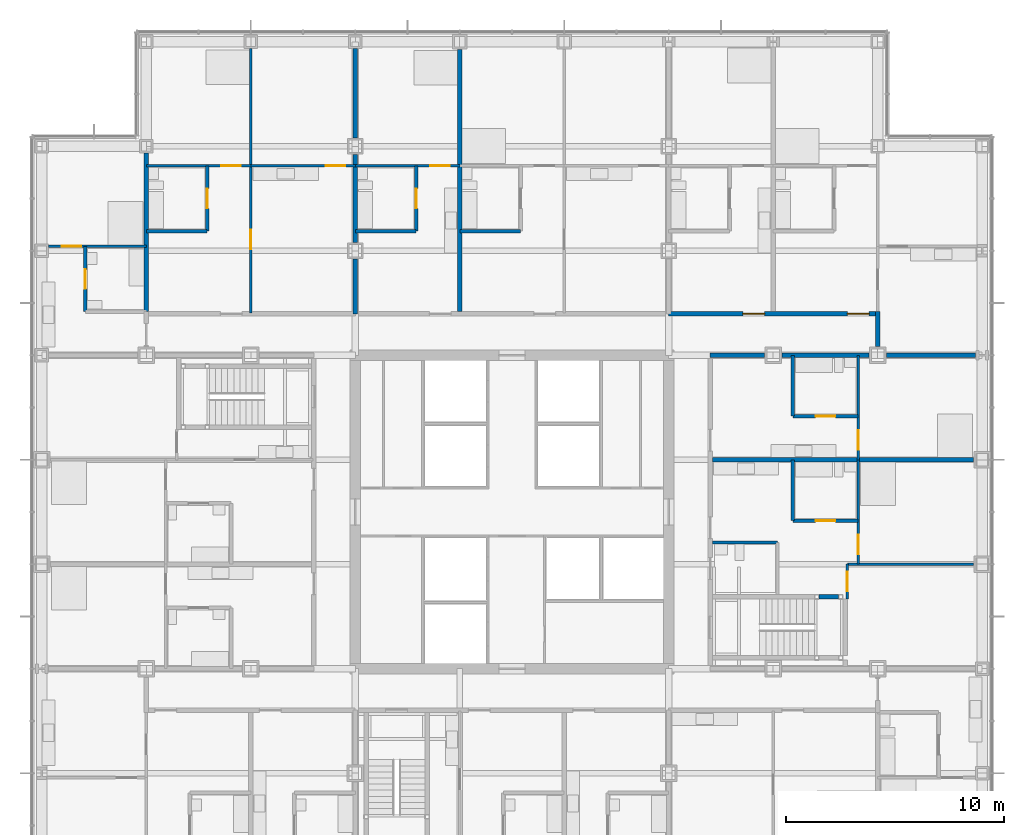
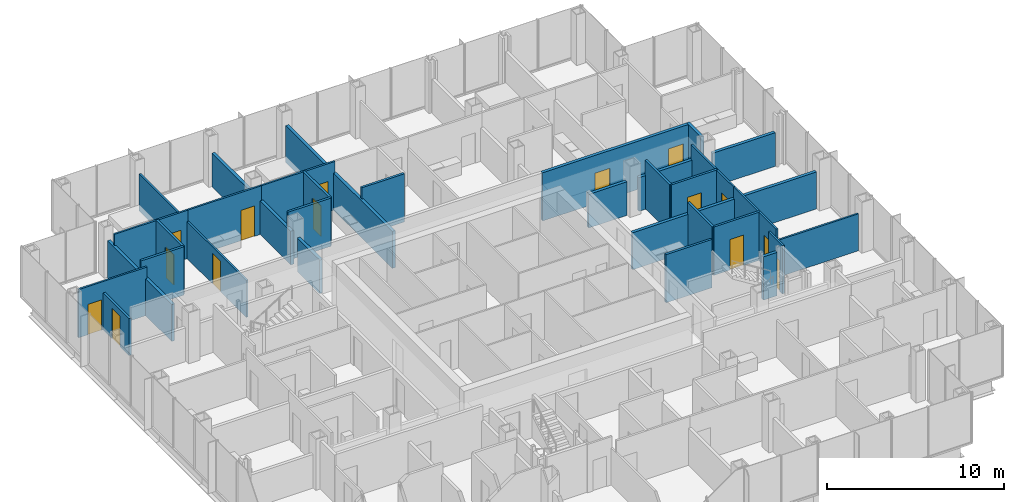
# One storey, part 17 of 21: 33 walls, 15 doors, 15 openings.
"""IFC4 building model written with IfcOpenShell, lengths in metres."""

import ifcopenshell
import ifcopenshell.guid

model = None  # the IFC model being written
_history = None  # IfcOwnerHistory: only IFC2X3 demands one
_inside = {}  # id of a spatial element -> (the spatial element, [elements in it])
_under = {}  # id of a project, library or spatial element -> (it, [spatial elements below it])
_declared = {}  # id of a project -> (the project, [libraries it declares])
_typed = {}  # id of a type object -> (the type object, [elements of that type])
_made_of = {}  # id of a material, layer set ... -> (it, [elements and type objects made of it])


def new_model(schema):
    """Start an empty IFC model of exactly this schema.

    Asked for "IFC4X3", IfcOpenShell would pick the latest addendum, in which some entities
    have other attributes; the version numbers below select the first issue.
    IFC2X3 requires an IfcOwnerHistory on every rooted entity: one is made here for all.
    """
    global model, _history
    if schema == "IFC4X3":
        model = ifcopenshell.file(schema_version=(4, 3, 0, 0))
    else:
        model = ifcopenshell.file(schema=schema)
    _inside.clear()
    _under.clear()
    _declared.clear()
    _typed.clear()
    _made_of.clear()
    _history = None
    if model.schema == "IFC2X3":
        org = make("IfcOrganization", Name="unknown")
        user = make(
            "IfcPersonAndOrganization",
            ThePerson=make("IfcPerson", FamilyName="unknown"),
            TheOrganization=org,
        )
        app = make(
            "IfcApplication",
            ApplicationDeveloper=org,
            Version="unknown",
            ApplicationFullName="unknown",
            ApplicationIdentifier="unknown",
        )
        _history = make(
            "IfcOwnerHistory",
            OwningUser=user,
            OwningApplication=app,
            ChangeAction="ADDED",
            CreationDate=0,
        )
    return model


def make(cls, **values):
    """One entity of the class cls with the attributes given. An attribute that is None is left unset."""
    return model.create_entity(
        cls, **{name: value for name, value in values.items() if value is not None}
    )


def rooted(cls, **values):
    """An entity with a GlobalId (a new one), such as an element, a storey or a relation."""
    return make(cls, GlobalId=ifcopenshell.guid.new(), OwnerHistory=_history, **values)


def si_unit(unit_type, name, prefix=None):
    """IfcSIUnit, for example si_unit("LENGTHUNIT", "METRE", prefix="MILLI")."""
    return make("IfcSIUnit", UnitType=unit_type, Prefix=prefix, Name=name)


def assignment(units):
    """IfcUnitAssignment: the units of a project."""
    return None if units is None else make("IfcUnitAssignment", Units=units)


def point(xyz):
    """IfcCartesianPoint."""
    return None if xyz is None else make("IfcCartesianPoint", Coordinates=xyz)


def direction(xyz):
    """IfcDirection."""
    return None if xyz is None else make("IfcDirection", DirectionRatios=xyz)


def frame(location, z_axis=None, x_axis=None):
    """IfcAxis2Placement3D, a coordinate frame: its origin and axes. An axis left out is left unset."""
    return make(
        "IfcAxis2Placement3D",
        Location=point(location),
        Axis=direction(z_axis),
        RefDirection=direction(x_axis),
    )


def frame_2d(location, x_axis=None):
    """IfcAxis2Placement2D, a coordinate frame in the plane: its origin and x axis."""
    return make(
        "IfcAxis2Placement2D", Location=point(location), RefDirection=direction(x_axis)
    )


def origin():
    """The frame at (0, 0, 0) with its axes left unset."""
    return frame((0.0, 0.0, 0.0))


def place(relative_to, where):
    """IfcLocalPlacement: puts the frame where relative to a parent placement (None: the world)."""
    return make(
        "IfcLocalPlacement", PlacementRelTo=relative_to, RelativePlacement=where
    )


def context(
    kind, dimensions, precision=None, world=None, true_north=None, identifier=None
):
    """IfcGeometricRepresentationContext, for example the 3D "Model" context."""
    return make(
        "IfcGeometricRepresentationContext",
        ContextIdentifier=identifier,
        ContextType=kind,
        CoordinateSpaceDimension=dimensions,
        Precision=precision,
        WorldCoordinateSystem=world,
        TrueNorth=true_north,
    )


def subcontext(parent, identifier, kind, view, scale=None):
    """IfcGeometricRepresentationSubContext, for example "Body" below "Model"."""
    return make(
        "IfcGeometricRepresentationSubContext",
        ContextIdentifier=identifier,
        ContextType=kind,
        ParentContext=parent,
        TargetScale=scale,
        TargetView=view,
    )


def project(units=None, contexts=None):
    """IfcProject with its units and contexts."""
    return rooted(
        "IfcProject",
        Name="project",
        RepresentationContexts=contexts,
        UnitsInContext=assignment(units),
    )


def spatial(cls, under=None, at=None, **own):
    """A site, building, storey or space (cls), placed at a placement, below another one or the project."""
    s = rooted(cls, ObjectPlacement=at, **own)
    if under is not None:
        _under.setdefault(under.id(), (under, []))[1].append(s)
    return s


def profile(cls, at=None, kind="AREA", **sizes):
    """A parametric profile (cls). Its sizes go by their IFC names, for example OverallWidth=200.0."""
    return make(cls, ProfileType=kind, Position=at, **sizes)


def rectangle(**sizes):
    """IfcRectangleProfileDef."""
    return profile("IfcRectangleProfileDef", **sizes)


def extrude(swept, where, along, depth):
    """IfcExtrudedAreaSolid: the profile swept, set in the frame where, extruded along a direction by depth."""
    return make(
        "IfcExtrudedAreaSolid",
        SweptArea=swept,
        Position=where,
        ExtrudedDirection=direction(along),
        Depth=depth,
    )


def shape(context_of_items, identifier, shape_type, items):
    """IfcShapeRepresentation: the items that make up one representation, for example the "Body"."""
    return make(
        "IfcShapeRepresentation",
        ContextOfItems=context_of_items,
        RepresentationIdentifier=identifier,
        RepresentationType=shape_type,
        Items=items,
    )


def material(Name=None, Category=None):
    """IfcMaterial."""
    return make("IfcMaterial", Name=Name, Category=Category)


def layer(
    of_material, thickness, ventilated=None, Name=None, Category=None, Priority=None
):
    """IfcMaterialLayer: one layer of a wall or slab, of a material (None: an air gap)."""
    return make(
        "IfcMaterialLayer",
        Material=of_material,
        LayerThickness=thickness,
        IsVentilated=ventilated,
        Name=Name,
        Category=Category,
        Priority=Priority,
    )


def layer_set(layers, Name=None):
    """IfcMaterialLayerSet."""
    return make("IfcMaterialLayerSet", MaterialLayers=layers, LayerSetName=Name)


def made_of(thing, what):
    """Note that an element or type object is made of a material, layer set ...; save() writes the relation."""
    if what is not None:
        _made_of.setdefault(what.id(), (what, []))[1].append(thing)
    return thing


def type_object(cls, material=None, **own):
    """A type object (cls), such as IfcWallType, which elements share."""
    return made_of(rooted(cls, **own), material)


def element(
    cls,
    number,
    at=None,
    inside=None,
    cuts=None,
    type_object=None,
    material=None,
    context=None,
    identifier="Body",
    shape_type=None,
    held_by="IfcProductDefinitionShape",
    body=None,
    shapes=None,
    **own,
):
    """One element of the class cls, such as IfcWall. Its Tag is "e" and its number.

    at: its placement. inside: the storey or other place that contains it. cuts: it is an
    opening in that element (IfcRelVoidsElement). A single representation is given by context,
    identifier, shape_type and body (its items); several are given by shapes. held_by: the class
    of the entity that holds the representations. save() writes the other relations.
    """
    e = rooted(cls, Tag="e%d" % number, ObjectPlacement=at, **own)
    if body is not None:
        shapes = [shape(context, identifier, shape_type, body)]
    if shapes is not None:
        e.Representation = make(held_by, Representations=shapes)
    if inside is not None:
        _inside.setdefault(inside.id(), (inside, []))[1].append(e)
    if cuts is not None:
        rooted(
            "IfcRelVoidsElement", RelatingBuildingElement=cuts, RelatedOpeningElement=e
        )
    if type_object is not None:
        _typed.setdefault(type_object.id(), (type_object, []))[1].append(e)
    return made_of(e, material)


def fill(opening, filler):
    """IfcRelFillsElement: the door or window that sits in an opening."""
    return rooted(
        "IfcRelFillsElement",
        RelatingOpeningElement=opening,
        RelatedBuildingElement=filler,
    )


def aggregate(whole, parts):
    """IfcRelAggregates: a whole, such as a stair, and the parts it consists of."""
    return rooted("IfcRelAggregates", RelatingObject=whole, RelatedObjects=parts)


def save(model, path):
    """Write the relations noted so far, then the file.

    IfcRelAggregates (storeys below a building ...), IfcRelContainedInSpatialStructure (elements
    in a storey), IfcRelDefinesByType, IfcRelAssociatesMaterial and IfcRelDeclares: one each for
    every whole, place, type object, material and project.
    """
    for whole, parts in _under.values():
        aggregate(whole, parts)
    for where, things in _inside.values():
        rooted(
            "IfcRelContainedInSpatialStructure",
            RelatedElements=things,
            RelatingStructure=where,
        )
    for kind, things in _typed.values():
        rooted("IfcRelDefinesByType", RelatedObjects=things, RelatingType=kind)
    for what, things in _made_of.values():
        rooted("IfcRelAssociatesMaterial", RelatedObjects=things, RelatingMaterial=what)
    for by, libraries in _declared.values():
        rooted("IfcRelDeclares", RelatingContext=by, RelatedDefinitions=libraries)
    model.write(path)


model = new_model("IFC4")

# Units and contexts
model_context = context("Model", 3, precision=1e-05, world=origin(), true_north=direction((0.0, 1.0)))
body_context = subcontext(model_context, "Body", "Model", "MODEL_VIEW")
ifc_project = project(units=[si_unit("LENGTHUNIT", "METRE"), si_unit("AREAUNIT", "SQUARE_METRE"), si_unit("VOLUMEUNIT", "CUBIC_METRE"), si_unit("PLANEANGLEUNIT", "RADIAN"), si_unit("MASSUNIT", "GRAM", prefix="KILO")], contexts=[model_context])

# Site, building, storey
site_placement = place(None, origin())
site = spatial("IfcSite", under=ifc_project, at=site_placement, CompositionType="ELEMENT")
building_placement = place(site_placement, origin())
building = spatial("IfcBuilding", under=site, at=building_placement, Name="Kvirike Care Tower", CompositionType="ELEMENT")
storey_placement = place(building_placement, frame((0.0, 0.0, 34.0)))
storey = spatial("IfcBuildingStorey", under=building, at=storey_placement, Name="L08", CompositionType="ELEMENT", Elevation=34.0)

# Wall, opening, door
ifc_material_1 = material(Name="Moisture-resistant board partition", Category="gypsum")
ifc_layer_1 = layer(ifc_material_1, 0.14990234375)
ifc_layer_set_1 = layer_set([ifc_layer_1], Name="BATHROOM WALL 150")
wall_type_1 = type_object("IfcWallType", Name="BATHROOM WALL 150", PredefinedType="PARTITIONING", material=ifc_layer_set_1)
wall_1_placement = place(storey_placement, frame((7.60009765625, 51.89990234375, 0.0), z_axis=(0.0, 0.0, 1.0), x_axis=(0.0, -1.0, 0.0)))
wall_1 = element("IfcWall", 1, at=wall_1_placement, inside=storey, type_object=wall_type_1, Name="Bathroom Wall 150 L08", PredefinedType="PARTITIONING", context=body_context, shape_type="SweptSolid", body=[
    extrude(rectangle(XDim=3.0, YDim=0.14990234375, at=frame_2d((1.5, 0.0))), origin(), (0.0, 0.0, 1.0), 3.330078125),
])
opening_1_placement = place(wall_1_placement, frame((1.050048828125, 0.0, 0.0)))
opening_1 = element("IfcOpeningElement", 2, at=opening_1_placement, cuts=wall_1, Name="Opening 08-018", PredefinedType="OPENING", context=body_context, shape_type="SweptSolid", body=[
    extrude(rectangle(XDim=0.89990234375, YDim=2.10009765625, at=frame_2d((0.449951171875, 1.050048828125))), frame((0.0, 0.08544921875, 0.0), z_axis=(0.0, -1.0, 0.0), x_axis=(1.0, 0.0, 0.0)), (0.0, 0.0, 1.0), 0.1708984375),
])
ifc_material_2 = material(Name="Timber door set", Category="wood")
door_type_1 = type_object("IfcDoorType", Name="BATHROOM DOOR 900", OperationType="SINGLE_SWING_RIGHT", PredefinedType="DOOR", material=ifc_material_2)
door_1_placement = place(opening_1_placement, frame((0.89990234375, 0.0, 0.0), z_axis=(0.0, 0.0, 1.0), x_axis=(-1.0, 0.0, 0.0)))
door_1 = element("IfcDoor", 3, at=door_1_placement, inside=storey, type_object=door_type_1, Name="Bathroom door", OperationType="SINGLE_SWING_RIGHT", OverallHeight=2.10009765625, OverallWidth=0.89990234375, PredefinedType="DOOR", context=body_context, shape_type="SweptSolid", body=[
    extrude(rectangle(XDim=0.89990234375, YDim=2.10009765625, at=frame_2d((0.449951171875, 1.050048828125))), frame((0.0, 0.02197265625, 0.0), z_axis=(0.0, -1.0, 0.0), x_axis=(1.0, 0.0, 0.0)), (0.0, 0.0, 1.0), 0.0439453125),
])
fill(opening_1, door_1)

# Wall
wall_2_placement = place(storey_placement, frame((7.60009765625, 48.89990234375, 0.0), z_axis=(0.0, 0.0, 1.0), x_axis=(-1.0, 0.0, 0.0)))
element("IfcWall", 4, at=wall_2_placement, inside=storey, type_object=wall_type_1, Name="Bathroom Wall 150 L08", PredefinedType="PARTITIONING", context=body_context, shape_type="SweptSolid", body=[
    extrude(rectangle(XDim=2.800048828125, YDim=0.14990234375, at=frame_2d((1.39990234375, 0.0))), origin(), (0.0, 0.0, 1.0), 3.330078125),
])

# Wall, opening, door
wall_3_placement = place(storey_placement, frame((2.0, 48.199951171875, 0.0), z_axis=(0.0, 0.0, 1.0), x_axis=(0.0, -1.0, 0.0)))
wall_3 = element("IfcWall", 5, at=wall_3_placement, inside=storey, type_object=wall_type_1, Name="Bathroom Wall 150 L08", PredefinedType="PARTITIONING", context=body_context, shape_type="SweptSolid", body=[
    extrude(rectangle(XDim=3.0, YDim=0.14990234375, at=frame_2d((1.5, 0.0))), origin(), (0.0, 0.0, 1.0), 2.550048828125),
])
opening_2_placement = place(wall_3_placement, frame((1.050048828125, 0.0, 0.0)))
opening_2 = element("IfcOpeningElement", 6, at=opening_2_placement, cuts=wall_3, Name="Opening 08-022", PredefinedType="OPENING", context=body_context, shape_type="SweptSolid", body=[
    extrude(rectangle(XDim=0.89990234375, YDim=2.10009765625, at=frame_2d((0.449951171875, 1.050048828125))), frame((0.0, 0.08544921875, 0.0), z_axis=(0.0, -1.0, 0.0), x_axis=(1.0, 0.0, 0.0)), (0.0, 0.0, 1.0), 0.1708984375),
])
door_2_placement = place(opening_2_placement, origin())
door_2 = element("IfcDoor", 7, at=door_2_placement, inside=storey, type_object=door_type_1, Name="Bathroom door", OperationType="SINGLE_SWING_LEFT", OverallHeight=2.10009765625, OverallWidth=0.89990234375, PredefinedType="DOOR", context=body_context, shape_type="SweptSolid", body=[
    extrude(rectangle(XDim=0.89990234375, YDim=2.10009765625, at=frame_2d((0.449951171875, 1.050048828125))), frame((0.0, 0.02197265625, 0.0), z_axis=(0.0, -1.0, 0.0), x_axis=(1.0, 0.0, 0.0)), (0.0, 0.0, 1.0), 0.0439453125),
])
fill(opening_2, door_2)

# Wall
wall_4_placement = place(storey_placement, frame((22.0, 48.89990234375, 0.0), z_axis=(0.0, 0.0, 1.0), x_axis=(-1.0, 0.0, 0.0)))
element("IfcWall", 8, at=wall_4_placement, inside=storey, type_object=wall_type_1, Name="Bathroom Wall 150 L08", PredefinedType="PARTITIONING", context=body_context, shape_type="SweptSolid", body=[
    extrude(rectangle(XDim=2.800048828125, YDim=0.14990234375, at=frame_2d((1.39990234375, 0.0))), origin(), (0.0, 0.0, 1.0), 3.330078125),
])

# Wall, opening, door
wall_5_placement = place(storey_placement, frame((17.199951171875, 51.89990234375, 0.0), z_axis=(0.0, 0.0, 1.0), x_axis=(0.0, -1.0, 0.0)))
wall_5 = element("IfcWall", 9, at=wall_5_placement, inside=storey, type_object=wall_type_1, Name="Bathroom Wall 150 L08", PredefinedType="PARTITIONING", context=body_context, shape_type="SweptSolid", body=[
    extrude(rectangle(XDim=3.0, YDim=0.14990234375, at=frame_2d((1.5, 0.0))), origin(), (0.0, 0.0, 1.0), 3.330078125),
])
opening_3_placement = place(wall_5_placement, frame((1.050048828125, 0.0, 0.0)))
opening_3 = element("IfcOpeningElement", 10, at=opening_3_placement, cuts=wall_5, Name="Opening 08-039", PredefinedType="OPENING", context=body_context, shape_type="SweptSolid", body=[
    extrude(rectangle(XDim=0.89990234375, YDim=2.10009765625, at=frame_2d((0.449951171875, 1.050048828125))), frame((0.0, 0.08544921875, 0.0), z_axis=(0.0, -1.0, 0.0), x_axis=(1.0, 0.0, 0.0)), (0.0, 0.0, 1.0), 0.1708984375),
])
door_3_placement = place(opening_3_placement, frame((0.89990234375, 0.0, 0.0), z_axis=(0.0, 0.0, 1.0), x_axis=(-1.0, 0.0, 0.0)))
door_3 = element("IfcDoor", 11, at=door_3_placement, inside=storey, type_object=door_type_1, Name="Bathroom door", OperationType="SINGLE_SWING_LEFT", OverallHeight=2.10009765625, OverallWidth=0.89990234375, PredefinedType="DOOR", context=body_context, shape_type="SweptSolid", body=[
    extrude(rectangle(XDim=0.89990234375, YDim=2.10009765625, at=frame_2d((0.449951171875, 1.050048828125))), frame((0.0, 0.02197265625, 0.0), z_axis=(0.0, -1.0, 0.0), x_axis=(1.0, 0.0, 0.0)), (0.0, 0.0, 1.0), 0.0439453125),
])
fill(opening_3, door_3)

# Walls
wall_6_placement = place(storey_placement, frame((17.199951171875, 48.89990234375, 0.0), z_axis=(0.0, 0.0, 1.0), x_axis=(-1.0, 0.0, 0.0)))
element("IfcWall", 12, at=wall_6_placement, inside=storey, type_object=wall_type_1, Name="Bathroom Wall 150 L08", PredefinedType="PARTITIONING", context=body_context, shape_type="SweptSolid", body=[
    extrude(rectangle(XDim=2.800048828125, YDim=0.14990234375, at=frame_2d((1.39990234375, 0.0))), origin(), (0.0, 0.0, 1.0), 3.330078125),
])
wall_7_placement = place(storey_placement, frame((33.800048828125, 34.60009765625, 0.0), z_axis=(0.0, 0.0, 1.0), x_axis=(-1.0, 0.0, 0.0)))
element("IfcWall", 13, at=wall_7_placement, inside=storey, type_object=wall_type_1, Name="Bathroom Wall 150 L08", PredefinedType="PARTITIONING", context=body_context, shape_type="SweptSolid", body=[
    extrude(rectangle(XDim=3.0, YDim=0.14990234375, at=frame_2d((1.5, 0.0))), origin(), (0.0, 0.0, 1.0), 3.330078125),
])

# Wall, opening, door
wall_8_placement = place(storey_placement, frame((37.5, 35.60009765625, 0.0), z_axis=(0.0, 0.0, 1.0), x_axis=(-1.0, 0.0, 0.0)))
wall_8 = element("IfcWall", 14, at=wall_8_placement, inside=storey, type_object=wall_type_1, Name="Bathroom Wall 150 L08", PredefinedType="PARTITIONING", context=body_context, shape_type="SweptSolid", body=[
    extrude(rectangle(XDim=3.0, YDim=0.14990234375, at=frame_2d((1.5, 0.0))), origin(), (0.0, 0.0, 1.0), 3.330078125),
])
opening_4_placement = place(wall_8_placement, frame((1.050048828125, 0.0, 0.0)))
opening_4 = element("IfcOpeningElement", 15, at=opening_4_placement, cuts=wall_8, Name="Opening 08-051", PredefinedType="OPENING", context=body_context, shape_type="SweptSolid", body=[
    extrude(rectangle(XDim=0.89990234375, YDim=2.10009765625, at=frame_2d((0.449951171875, 1.050048828125))), frame((0.0, 0.08544921875, 0.0), z_axis=(0.0, -1.0, 0.0), x_axis=(1.0, 0.0, 0.0)), (0.0, 0.0, 1.0), 0.1708984375),
])
door_4_placement = place(opening_4_placement, frame((0.89990234375, 0.0, 0.0), z_axis=(0.0, 0.0, 1.0), x_axis=(-1.0, 0.0, 0.0)))
door_4 = element("IfcDoor", 16, at=door_4_placement, inside=storey, type_object=door_type_1, Name="Bathroom door", OperationType="SINGLE_SWING_RIGHT", OverallHeight=2.10009765625, OverallWidth=0.89990234375, PredefinedType="DOOR", context=body_context, shape_type="SweptSolid", body=[
    extrude(rectangle(XDim=0.89990234375, YDim=2.10009765625, at=frame_2d((0.449951171875, 1.050048828125))), frame((0.0, 0.02197265625, 0.0), z_axis=(0.0, -1.0, 0.0), x_axis=(1.0, 0.0, 0.0)), (0.0, 0.0, 1.0), 0.0439453125),
])
fill(opening_4, door_4)

# Wall
wall_9_placement = place(storey_placement, frame((34.5, 35.60009765625, 0.0), z_axis=(0.0, 0.0, 1.0), x_axis=(0.0, 1.0, 0.0)))
element("IfcWall", 17, at=wall_9_placement, inside=storey, type_object=wall_type_1, Name="Bathroom Wall 150 L08", PredefinedType="PARTITIONING", context=body_context, shape_type="SweptSolid", body=[
    extrude(rectangle(XDim=2.7998046875, YDim=0.14990234375, at=frame_2d((1.39990234375, 0.0))), origin(), (0.0, 0.0, 1.0), 3.330078125),
])

# Wall, opening, door
wall_10_placement = place(storey_placement, frame((37.5, 40.39990234375, 0.0), z_axis=(0.0, 0.0, 1.0), x_axis=(-1.0, 0.0, 0.0)))
wall_10 = element("IfcWall", 18, at=wall_10_placement, inside=storey, type_object=wall_type_1, Name="Bathroom Wall 150 L08", PredefinedType="PARTITIONING", context=body_context, shape_type="SweptSolid", body=[
    extrude(rectangle(XDim=3.0, YDim=0.14990234375, at=frame_2d((1.5, 0.0))), origin(), (0.0, 0.0, 1.0), 3.330078125),
])
opening_5_placement = place(wall_10_placement, frame((1.050048828125, 0.0, 0.0)))
opening_5 = element("IfcOpeningElement", 19, at=opening_5_placement, cuts=wall_10, Name="Opening 08-054", PredefinedType="OPENING", context=body_context, shape_type="SweptSolid", body=[
    extrude(rectangle(XDim=0.89990234375, YDim=2.10009765625, at=frame_2d((0.449951171875, 1.050048828125))), frame((0.0, 0.08544921875, 0.0), z_axis=(0.0, -1.0, 0.0), x_axis=(1.0, 0.0, 0.0)), (0.0, 0.0, 1.0), 0.1708984375),
])
door_5_placement = place(opening_5_placement, frame((0.89990234375, 0.0, 0.0), z_axis=(0.0, 0.0, 1.0), x_axis=(-1.0, 0.0, 0.0)))
door_5 = element("IfcDoor", 20, at=door_5_placement, inside=storey, type_object=door_type_1, Name="Bathroom door", OperationType="SINGLE_SWING_RIGHT", OverallHeight=2.10009765625, OverallWidth=0.89990234375, PredefinedType="DOOR", context=body_context, shape_type="SweptSolid", body=[
    extrude(rectangle(XDim=0.89990234375, YDim=2.10009765625, at=frame_2d((0.449951171875, 1.050048828125))), frame((0.0, 0.02197265625, 0.0), z_axis=(0.0, -1.0, 0.0), x_axis=(1.0, 0.0, 0.0)), (0.0, 0.0, 1.0), 0.0439453125),
])
fill(opening_5, door_5)

# Wall
wall_11_placement = place(storey_placement, frame((34.5, 40.39990234375, 0.0), z_axis=(0.0, 0.0, 1.0), x_axis=(0.0, 1.0, 0.0)))
element("IfcWall", 21, at=wall_11_placement, inside=storey, type_object=wall_type_1, Name="Bathroom Wall 150 L08", PredefinedType="PARTITIONING", context=body_context, shape_type="SweptSolid", body=[
    extrude(rectangle(XDim=2.800048828125, YDim=0.14990234375, at=frame_2d((1.39990234375, 0.0))), origin(), (0.0, 0.0, 1.0), 3.330078125),
])

# Wall, openings, doors
ifc_material_3 = material(Name="Plasterboard corridor wall", Category="gypsum")
ifc_layer_2 = layer(ifc_material_3, 0.199951171875)
ifc_layer_set_2 = layer_set([ifc_layer_2], Name="CORRIDOR WALL 200")
wall_type_2 = type_object("IfcWallType", Name="CORRIDOR WALL 200", PredefinedType="PARTITIONING", material=ifc_layer_set_2)
wall_12_placement = place(storey_placement, frame((38.39990234375, 45.10009765625, 0.0), z_axis=(0.0, 0.0, 1.0), x_axis=(-1.0, 0.0, 0.0)))
wall_12 = element("IfcWall", 22, at=wall_12_placement, inside=storey, type_object=wall_type_2, Name="Corridor Wall 200 L08", PredefinedType="PARTITIONING", context=body_context, shape_type="SweptSolid", body=[
    extrude(rectangle(XDim=9.599853515625, YDim=0.199951171875, at=frame_2d((4.7998046875, 0.0))), origin(), (0.0, 0.0, 1.0), 3.330078125),
])
opening_6_placement = place(wall_12_placement, frame((0.39990234375, 0.0, 0.0)))
opening_6 = element("IfcOpeningElement", 23, at=opening_6_placement, cuts=wall_12, Name="Opening 08-066", PredefinedType="OPENING", context=body_context, shape_type="SweptSolid", body=[
    extrude(rectangle(XDim=1.0, YDim=2.10009765625, at=frame_2d((0.5, 1.050048828125))), frame((0.0, 0.110595703125, 0.0), z_axis=(0.0, -1.0, 0.0), x_axis=(1.0, 0.0, 0.0)), (0.0, 0.0, 1.0), 0.220947265625),
])
opening_7_placement = place(wall_12_placement, frame((5.199951171875, 0.0, 0.0)))
opening_7 = element("IfcOpeningElement", 24, at=opening_7_placement, cuts=wall_12, Name="Opening 08-067", PredefinedType="OPENING", context=body_context, shape_type="SweptSolid", body=[
    extrude(rectangle(XDim=1.0, YDim=2.10009765625, at=frame_2d((0.5, 1.050048828125))), frame((0.0, 0.110595703125, 0.0), z_axis=(0.0, -1.0, 0.0), x_axis=(1.0, 0.0, 0.0)), (0.0, 0.0, 1.0), 0.220947265625),
])
ifc_material_4 = material(Name="Timber door set", Category="wood")
door_type_2 = type_object("IfcDoorType", Name="FLAT ENTRANCE DOOR 1000", OperationType="SINGLE_SWING_LEFT", PredefinedType="DOOR", material=ifc_material_4)
door_6_placement = place(opening_6_placement, frame((1.0, 0.0, 0.0), z_axis=(0.0, 0.0, 1.0), x_axis=(-1.0, 0.0, 0.0)))
door_6 = element("IfcDoor", 25, at=door_6_placement, inside=storey, type_object=door_type_2, Name="One-bedroom apartment entrance", OperationType="SINGLE_SWING_LEFT", OverallHeight=2.10009765625, OverallWidth=1.0, PredefinedType="DOOR", context=body_context, shape_type="SweptSolid", body=[
    extrude(rectangle(XDim=1.0, YDim=2.10009765625, at=frame_2d((0.5, 1.050048828125))), frame((0.0, 0.02685546875, 0.0), z_axis=(0.0, -1.0, 0.0), x_axis=(1.0, 0.0, 0.0)), (0.0, 0.0, 1.0), 0.053955078125),
])
fill(opening_6, door_6)
door_7_placement = place(opening_7_placement, frame((1.0, 0.0, 0.0), z_axis=(0.0, 0.0, 1.0), x_axis=(-1.0, 0.0, 0.0)))
door_7 = element("IfcDoor", 26, at=door_7_placement, inside=storey, type_object=door_type_2, Name="Studio apartment entrance", OperationType="SINGLE_SWING_LEFT", OverallHeight=2.10009765625, OverallWidth=1.0, PredefinedType="DOOR", context=body_context, shape_type="SweptSolid", body=[
    extrude(rectangle(XDim=1.0, YDim=2.10009765625, at=frame_2d((0.5, 1.050048828125))), frame((0.0, 0.02685546875, 0.0), z_axis=(0.0, -1.0, 0.0), x_axis=(1.0, 0.0, 0.0)), (0.0, 0.0, 1.0), 0.053955078125),
])
fill(opening_7, door_7)

# Wall
wall_13_placement = place(storey_placement, frame((38.39990234375, 45.199951171875, 0.0), z_axis=(0.0, 0.0, 1.0), x_axis=(0.0, -1.0, 0.0)))
element("IfcWall", 27, at=wall_13_placement, inside=storey, type_object=wall_type_2, Name="Corridor Wall 200 L08", PredefinedType="PARTITIONING", context=body_context, shape_type="SweptSolid", body=[
    extrude(rectangle(XDim=1.60498046875, YDim=0.199951171875, at=frame_2d((0.802490234375, 0.0))), origin(), (0.0, 0.0, 1.0), 3.330078125),
])

# Wall, opening, door
ifc_material_5 = material(Name="Plasterboard partition", Category="gypsum")
ifc_layer_3 = layer(ifc_material_5, 0.1201171875)
ifc_layer_set_3 = layer_set([ifc_layer_3], Name="PARTITION 120")
wall_type_3 = type_object("IfcWallType", Name="PARTITION 120", PredefinedType="PARTITIONING", material=ifc_layer_set_3)
wall_14_placement = place(storey_placement, frame((9.60009765625, 51.89990234375, 0.0), z_axis=(0.0, 0.0, 1.0), x_axis=(0.0, -1.0, 0.0)))
wall_14 = element("IfcWall", 28, at=wall_14_placement, inside=storey, type_object=wall_type_3, Name="Partition 120 L08", PredefinedType="PARTITIONING", context=body_context, shape_type="SweptSolid", body=[
    extrude(rectangle(XDim=6.75, YDim=0.1201171875, at=frame_2d((3.375, 0.0))), origin(), (0.0, 0.0, 1.0), 2.550048828125),
])
opening_8_placement = place(wall_14_placement, frame((2.925048828125, 0.0, 0.0)))
opening_8 = element("IfcOpeningElement", 29, at=opening_8_placement, cuts=wall_14, Name="Opening 08-019", PredefinedType="OPENING", context=body_context, shape_type="SweptSolid", body=[
    extrude(rectangle(XDim=0.89990234375, YDim=2.10009765625, at=frame_2d((0.449951171875, 1.050048828125))), frame((0.0, 0.070556640625, 0.0), z_axis=(0.0, -1.0, 0.0), x_axis=(1.0, 0.0, 0.0)), (0.0, 0.0, 1.0), 0.14111328125),
])
ifc_material_6 = material(Name="Timber door set", Category="wood")
door_type_3 = type_object("IfcDoorType", Name="INTERNAL DOOR 900", OperationType="SINGLE_SWING_LEFT", PredefinedType="DOOR", material=ifc_material_6)
door_8_placement = place(opening_8_placement, frame((0.89990234375, 0.0, 0.0), z_axis=(0.0, 0.0, 1.0), x_axis=(-1.0, 0.0, 0.0)))
door_8 = element("IfcDoor", 30, at=door_8_placement, inside=storey, type_object=door_type_3, Name="Hall door", OperationType="SINGLE_SWING_RIGHT", OverallHeight=2.10009765625, OverallWidth=0.89990234375, PredefinedType="DOOR", context=body_context, shape_type="SweptSolid", body=[
    extrude(rectangle(XDim=0.89990234375, YDim=2.10009765625, at=frame_2d((0.449951171875, 1.050048828125))), frame((0.0, 0.02197265625, 0.0), z_axis=(0.0, -1.0, 0.0), x_axis=(1.0, 0.0, 0.0)), (0.0, 0.0, 1.0), 0.0439453125),
])
fill(opening_8, door_8)

wall_15_placement = place(storey_placement, frame((14.39990234375, 51.89990234375, 0.0), z_axis=(0.0, 0.0, 1.0), x_axis=(-1.0, 0.0, 0.0)))
wall_15 = element("IfcWall", 31, at=wall_15_placement, inside=storey, type_object=wall_type_3, Name="Partition 120 L08", PredefinedType="PARTITIONING", context=body_context, shape_type="SweptSolid", body=[
    extrude(rectangle(XDim=4.7998046875, YDim=0.1201171875, at=frame_2d((2.39990234375, 0.0))), origin(), (0.0, 0.0, 1.0), 3.330078125),
])
opening_9_placement = place(wall_15_placement, frame((0.449951171875, 0.0, 0.0)))
opening_9 = element("IfcOpeningElement", 32, at=opening_9_placement, cuts=wall_15, Name="Opening 08-020", PredefinedType="OPENING", context=body_context, shape_type="SweptSolid", body=[
    extrude(rectangle(XDim=0.89990234375, YDim=2.10009765625, at=frame_2d((0.449951171875, 1.050048828125))), frame((0.0, 0.070556640625, 0.0), z_axis=(0.0, -1.0, 0.0), x_axis=(1.0, 0.0, 0.0)), (0.0, 0.0, 1.0), 0.14111328125),
])
door_9_placement = place(opening_9_placement, frame((0.89990234375, 0.0, 0.0), z_axis=(0.0, 0.0, 1.0), x_axis=(-1.0, 0.0, 0.0)))
door_9 = element("IfcDoor", 33, at=door_9_placement, inside=storey, type_object=door_type_3, Name="Apartment living room door", OperationType="SINGLE_SWING_LEFT", OverallHeight=2.10009765625, OverallWidth=0.89990234375, PredefinedType="DOOR", context=body_context, shape_type="SweptSolid", body=[
    extrude(rectangle(XDim=0.89990234375, YDim=2.10009765625, at=frame_2d((0.449951171875, 1.050048828125))), frame((0.0, 0.02197265625, 0.0), z_axis=(0.0, -1.0, 0.0), x_axis=(1.0, 0.0, 0.0)), (0.0, 0.0, 1.0), 0.0439453125),
])
fill(opening_9, door_9)

wall_16_placement = place(storey_placement, frame((9.60009765625, 51.89990234375, 0.0), z_axis=(0.0, 0.0, 1.0), x_axis=(-1.0, 0.0, 0.0)))
wall_16 = element("IfcWall", 34, at=wall_16_placement, inside=storey, type_object=wall_type_3, Name="Partition 120 L08", PredefinedType="PARTITIONING", context=body_context, shape_type="SweptSolid", body=[
    extrude(rectangle(XDim=4.800048828125, YDim=0.1201171875, at=frame_2d((2.39990234375, 0.0))), origin(), (0.0, 0.0, 1.0), 3.330078125),
])
opening_10_placement = place(wall_16_placement, frame((0.449951171875, 0.0, 0.0)))
opening_10 = element("IfcOpeningElement", 35, at=opening_10_placement, cuts=wall_16, Name="Opening 08-021", PredefinedType="OPENING", context=body_context, shape_type="SweptSolid", body=[
    extrude(rectangle(XDim=0.89990234375, YDim=2.10009765625, at=frame_2d((0.449951171875, 1.050048828125))), frame((0.0, 0.070556640625, 0.0), z_axis=(0.0, -1.0, 0.0), x_axis=(1.0, 0.0, 0.0)), (0.0, 0.0, 1.0), 0.14111328125),
])
door_10_placement = place(opening_10_placement, origin())
door_10 = element("IfcDoor", 36, at=door_10_placement, inside=storey, type_object=door_type_3, Name="Apartment bedroom door", OperationType="SINGLE_SWING_RIGHT", OverallHeight=2.10009765625, OverallWidth=0.89990234375, PredefinedType="DOOR", context=body_context, shape_type="SweptSolid", body=[
    extrude(rectangle(XDim=0.89990234375, YDim=2.10009765625, at=frame_2d((0.449951171875, 1.050048828125))), frame((0.0, 0.02197265625, 0.0), z_axis=(0.0, -1.0, 0.0), x_axis=(1.0, 0.0, 0.0)), (0.0, 0.0, 1.0), 0.0439453125),
])
fill(opening_10, door_10)

# Wall
wall_17_placement = place(storey_placement, frame((9.60009765625, 57.280029296875, 0.0), z_axis=(0.0, 0.0, 1.0), x_axis=(0.0, -1.0, 0.0)))
element("IfcWall", 37, at=wall_17_placement, inside=storey, type_object=wall_type_3, Name="Partition 120 L08", PredefinedType="PARTITIONING", context=body_context, shape_type="SweptSolid", body=[
    extrude(rectangle(XDim=5.380126953125, YDim=0.1201171875, at=frame_2d((2.68994140625, 0.0))), origin(), (0.0, 0.0, 1.0), 2.550048828125),
])

# Wall, opening, door
wall_18_placement = place(storey_placement, frame((4.800048828125, 48.199951171875, 0.0), z_axis=(0.0, 0.0, 1.0), x_axis=(-1.0, 0.0, 0.0)))
wall_18 = element("IfcWall", 38, at=wall_18_placement, inside=storey, type_object=wall_type_3, Name="Partition 120 L08", PredefinedType="PARTITIONING", context=body_context, shape_type="SweptSolid", body=[
    extrude(rectangle(XDim=4.47998046875, YDim=0.1201171875, at=frame_2d((2.239990234375, 0.0))), origin(), (0.0, 0.0, 1.0), 3.330078125),
])
opening_11_placement = place(wall_18_placement, frame((2.97509765625, 0.0, 0.0)))
opening_11 = element("IfcOpeningElement", 39, at=opening_11_placement, cuts=wall_18, Name="Opening 08-023", PredefinedType="OPENING", context=body_context, shape_type="SweptSolid", body=[
    extrude(rectangle(XDim=0.89990234375, YDim=2.10009765625, at=frame_2d((0.449951171875, 1.050048828125))), frame((0.0, 0.070556640625, 0.0), z_axis=(0.0, -1.0, 0.0), x_axis=(1.0, 0.0, 0.0)), (0.0, 0.0, 1.0), 0.14111328125),
])
door_11_placement = place(opening_11_placement, origin())
door_11 = element("IfcDoor", 40, at=door_11_placement, inside=storey, type_object=door_type_3, Name="Studio apartment living room door", OperationType="SINGLE_SWING_RIGHT", OverallHeight=2.10009765625, OverallWidth=0.89990234375, PredefinedType="DOOR", context=body_context, shape_type="SweptSolid", body=[
    extrude(rectangle(XDim=0.89990234375, YDim=2.10009765625, at=frame_2d((0.449951171875, 1.050048828125))), frame((0.0, 0.02197265625, 0.0), z_axis=(0.0, -1.0, 0.0), x_axis=(1.0, 0.0, 0.0)), (0.0, 0.0, 1.0), 0.0439453125),
])
fill(opening_11, door_11)

wall_19_placement = place(storey_placement, frame((19.199951171875, 51.89990234375, 0.0), z_axis=(0.0, 0.0, 1.0), x_axis=(-1.0, 0.0, 0.0)))
wall_19 = element("IfcWall", 41, at=wall_19_placement, inside=storey, type_object=wall_type_3, Name="Partition 120 L08", PredefinedType="PARTITIONING", context=body_context, shape_type="SweptSolid", body=[
    extrude(rectangle(XDim=4.800048828125, YDim=0.1201171875, at=frame_2d((2.39990234375, 0.0))), origin(), (0.0, 0.0, 1.0), 3.330078125),
])
opening_12_placement = place(wall_19_placement, frame((0.449951171875, 0.0, 0.0)))
opening_12 = element("IfcOpeningElement", 42, at=opening_12_placement, cuts=wall_19, Name="Opening 08-040", PredefinedType="OPENING", context=body_context, shape_type="SweptSolid", body=[
    extrude(rectangle(XDim=0.89990234375, YDim=2.10009765625, at=frame_2d((0.449951171875, 1.050048828125))), frame((0.0, 0.070556640625, 0.0), z_axis=(0.0, -1.0, 0.0), x_axis=(1.0, 0.0, 0.0)), (0.0, 0.0, 1.0), 0.14111328125),
])
door_12_placement = place(opening_12_placement, origin())
door_12 = element("IfcDoor", 43, at=door_12_placement, inside=storey, type_object=door_type_3, Name="Studio apartment living room door", OperationType="SINGLE_SWING_RIGHT", OverallHeight=2.10009765625, OverallWidth=0.89990234375, PredefinedType="DOOR", context=body_context, shape_type="SweptSolid", body=[
    extrude(rectangle(XDim=0.89990234375, YDim=2.10009765625, at=frame_2d((0.449951171875, 1.050048828125))), frame((0.0, 0.02197265625, 0.0), z_axis=(0.0, -1.0, 0.0), x_axis=(1.0, 0.0, 0.0)), (0.0, 0.0, 1.0), 0.0439453125),
])
fill(opening_12, door_12)

wall_20_placement = place(storey_placement, frame((37.0, 32.0, 0.0), z_axis=(0.0, 0.0, 1.0), x_axis=(0.0, 1.0, 0.0)))
wall_20 = element("IfcWall", 44, at=wall_20_placement, inside=storey, type_object=wall_type_3, Name="Partition 120 L08", PredefinedType="PARTITIONING", context=body_context, shape_type="SweptSolid", body=[
    extrude(rectangle(XDim=1.60009765625, YDim=0.1201171875, at=frame_2d((0.800048828125, 0.0))), origin(), (0.0, 0.0, 1.0), 3.330078125),
])
opening_13_placement = place(wall_20_placement, frame((0.35009765625, 0.0, 0.0)))
opening_13 = element("IfcOpeningElement", 45, at=opening_13_placement, cuts=wall_20, Name="Opening 08-052", PredefinedType="OPENING", context=body_context, shape_type="SweptSolid", body=[
    extrude(rectangle(XDim=0.89990234375, YDim=2.10009765625, at=frame_2d((0.449951171875, 1.050048828125))), frame((0.0, 0.070556640625, 0.0), z_axis=(0.0, -1.0, 0.0), x_axis=(1.0, 0.0, 0.0)), (0.0, 0.0, 1.0), 0.14111328125),
])
door_13_placement = place(opening_13_placement, origin())
door_13 = element("IfcDoor", 46, at=door_13_placement, inside=storey, type_object=door_type_3, Name="Apartment living room door", OperationType="SINGLE_SWING_RIGHT", OverallHeight=2.10009765625, OverallWidth=0.89990234375, PredefinedType="DOOR", context=body_context, shape_type="SweptSolid", body=[
    extrude(rectangle(XDim=0.89990234375, YDim=2.10009765625, at=frame_2d((0.449951171875, 1.050048828125))), frame((0.0, 0.02197265625, 0.0), z_axis=(0.0, -1.0, 0.0), x_axis=(1.0, 0.0, 0.0)), (0.0, 0.0, 1.0), 0.0439453125),
])
fill(opening_13, door_13)

wall_21_placement = place(storey_placement, frame((37.5, 33.60009765625, 0.0), z_axis=(0.0, 0.0, 1.0), x_axis=(0.0, 1.0, 0.0)))
wall_21 = element("IfcWall", 47, at=wall_21_placement, inside=storey, type_object=wall_type_3, Name="Partition 120 L08", PredefinedType="PARTITIONING", context=body_context, shape_type="SweptSolid", body=[
    extrude(rectangle(XDim=4.7998046875, YDim=0.1201171875, at=frame_2d((2.39990234375, 0.0))), origin(), (0.0, 0.0, 1.0), 3.330078125),
])
opening_14_placement = place(wall_21_placement, frame((0.449951171875, 0.0, 0.0)))
opening_14 = element("IfcOpeningElement", 48, at=opening_14_placement, cuts=wall_21, Name="Opening 08-053", PredefinedType="OPENING", context=body_context, shape_type="SweptSolid", body=[
    extrude(rectangle(XDim=0.89990234375, YDim=2.10009765625, at=frame_2d((0.449951171875, 1.050048828125))), frame((0.0, 0.070556640625, 0.0), z_axis=(0.0, -1.0, 0.0), x_axis=(1.0, 0.0, 0.0)), (0.0, 0.0, 1.0), 0.14111328125),
])
door_14_placement = place(opening_14_placement, origin())
door_14 = element("IfcDoor", 49, at=door_14_placement, inside=storey, type_object=door_type_3, Name="Apartment bedroom door", OperationType="SINGLE_SWING_LEFT", OverallHeight=2.10009765625, OverallWidth=0.89990234375, PredefinedType="DOOR", context=body_context, shape_type="SweptSolid", body=[
    extrude(rectangle(XDim=0.89990234375, YDim=2.10009765625, at=frame_2d((0.449951171875, 1.050048828125))), frame((0.0, 0.02197265625, 0.0), z_axis=(0.0, -1.0, 0.0), x_axis=(1.0, 0.0, 0.0)), (0.0, 0.0, 1.0), 0.0439453125),
])
fill(opening_14, door_14)

# Wall
wall_22_placement = place(storey_placement, frame((42.804931640625, 33.60009765625, 0.0), z_axis=(0.0, 0.0, 1.0), x_axis=(-1.0, 0.0, 0.0)))
element("IfcWall", 50, at=wall_22_placement, inside=storey, type_object=wall_type_3, Name="Partition 120 L08", PredefinedType="PARTITIONING", context=body_context, shape_type="SweptSolid", body=[
    extrude(rectangle(XDim=5.804931640625, YDim=0.1201171875, at=frame_2d((2.90234375, 0.0))), origin(), (0.0, 0.0, 1.0), 2.550048828125),
])

# Wall, opening, door
wall_23_placement = place(storey_placement, frame((37.5, 38.39990234375, 0.0), z_axis=(0.0, 0.0, 1.0), x_axis=(0.0, 1.0, 0.0)))
wall_23 = element("IfcWall", 51, at=wall_23_placement, inside=storey, type_object=wall_type_3, Name="Partition 120 L08", PredefinedType="PARTITIONING", context=body_context, shape_type="SweptSolid", body=[
    extrude(rectangle(XDim=4.800048828125, YDim=0.1201171875, at=frame_2d((2.39990234375, 0.0))), origin(), (0.0, 0.0, 1.0), 3.330078125),
])
opening_15_placement = place(wall_23_placement, frame((0.449951171875, 0.0, 0.0)))
opening_15 = element("IfcOpeningElement", 52, at=opening_15_placement, cuts=wall_23, Name="Opening 08-055", PredefinedType="OPENING", context=body_context, shape_type="SweptSolid", body=[
    extrude(rectangle(XDim=0.89990234375, YDim=2.10009765625, at=frame_2d((0.449951171875, 1.050048828125))), frame((0.0, 0.070556640625, 0.0), z_axis=(0.0, -1.0, 0.0), x_axis=(1.0, 0.0, 0.0)), (0.0, 0.0, 1.0), 0.14111328125),
])
door_15_placement = place(opening_15_placement, origin())
door_15 = element("IfcDoor", 53, at=door_15_placement, inside=storey, type_object=door_type_3, Name="Studio apartment living room door", OperationType="SINGLE_SWING_RIGHT", OverallHeight=2.10009765625, OverallWidth=0.89990234375, PredefinedType="DOOR", context=body_context, shape_type="SweptSolid", body=[
    extrude(rectangle(XDim=0.89990234375, YDim=2.10009765625, at=frame_2d((0.449951171875, 1.050048828125))), frame((0.0, 0.02197265625, 0.0), z_axis=(0.0, -1.0, 0.0), x_axis=(1.0, 0.0, 0.0)), (0.0, 0.0, 1.0), 0.0439453125),
])
fill(opening_15, door_15)

# Walls
ifc_material_7 = material(Name="Plasterboard party wall", Category="gypsum")
ifc_layer_4 = layer(ifc_material_7, 0.199951171875)
ifc_layer_set_4 = layer_set([ifc_layer_4], Name="PARTY WALL 200")
wall_type_4 = type_object("IfcWallType", Name="PARTY WALL 200", PredefinedType="PARTITIONING", material=ifc_layer_set_4)
wall_24_placement = place(storey_placement, frame((4.800048828125, 52.47998046875, 0.0), z_axis=(0.0, 0.0, 1.0), x_axis=(0.0, -1.0, 0.0)))
element("IfcWall", 54, at=wall_24_placement, inside=storey, type_object=wall_type_4, Name="Party Wall 200 L08", PredefinedType="PARTITIONING", context=body_context, shape_type="SweptSolid", body=[
    extrude(rectangle(XDim=7.280029296875, YDim=0.199951171875, at=frame_2d((3.64013671875, 0.0))), origin(), (0.0, 0.0, 1.0), 2.550048828125),
])
wall_25_placement = place(storey_placement, frame((19.199951171875, 57.2548828125, 0.0), z_axis=(0.0, 0.0, 1.0), x_axis=(0.0, -1.0, 0.0)))
element("IfcWall", 55, at=wall_25_placement, inside=storey, type_object=wall_type_4, Name="Party Wall 200 L08", PredefinedType="PARTITIONING", context=body_context, shape_type="SweptSolid", body=[
    extrude(rectangle(XDim=12.054931640625, YDim=0.199951171875, at=frame_2d((6.02734375, 0.0))), origin(), (0.0, 0.0, 1.0), 2.550048828125),
])
wall_26_placement = place(storey_placement, frame((42.804931640625, 38.39990234375, 0.0), z_axis=(0.0, 0.0, 1.0), x_axis=(-1.0, 0.0, 0.0)))
element("IfcWall", 56, at=wall_26_placement, inside=storey, type_object=wall_type_4, Name="Party Wall 200 L08", PredefinedType="PARTITIONING", context=body_context, shape_type="SweptSolid", body=[
    extrude(rectangle(XDim=12.0048828125, YDim=0.199951171875, at=frame_2d((6.00244140625, 0.0))), origin(), (0.0, 0.0, 1.0), 2.550048828125),
])
wall_27_placement = place(storey_placement, frame((14.39990234375, 45.10009765625, 0.0), z_axis=(0.0, 0.0, 1.0), x_axis=(0.0, 1.0, 0.0)))
element("IfcWall", 57, at=wall_27_placement, inside=storey, type_object=wall_type_4, Name="Party Wall 200 L08", PredefinedType="PARTITIONING", context=body_context, shape_type="SweptSolid", body=[
    extrude(rectangle(XDim=2.52978515625, YDim=0.199951171875, at=frame_2d((1.264892578125, 0.0))), origin(), (0.0, 0.0, 1.0), 2.320068359375),
])
wall_28_placement = place(storey_placement, frame((14.39990234375, 48.3701171875, 0.0), z_axis=(0.0, 0.0, 1.0), x_axis=(0.0, 1.0, 0.0)))
element("IfcWall", 58, at=wall_28_placement, inside=storey, type_object=wall_type_4, Name="Party Wall 200 L08", PredefinedType="PARTITIONING", context=body_context, shape_type="SweptSolid", body=[
    extrude(rectangle(XDim=4.059814453125, YDim=0.199951171875, at=frame_2d((2.02978515625, 0.0))), origin(), (0.0, 0.0, 1.0), 2.320068359375),
])
wall_29_placement = place(storey_placement, frame((14.39990234375, 53.169921875, 0.0), z_axis=(0.0, 0.0, 1.0), x_axis=(0.0, 1.0, 0.0)))
element("IfcWall", 59, at=wall_29_placement, inside=storey, type_object=wall_type_4, Name="Party Wall 200 L08", PredefinedType="PARTITIONING", context=body_context, shape_type="SweptSolid", body=[
    extrude(rectangle(XDim=4.110107421875, YDim=0.199951171875, at=frame_2d((2.05517578125, 0.0))), origin(), (0.0, 0.0, 1.0), 2.320068359375),
])
wall_30_placement = place(storey_placement, frame((42.8955078125, 43.199951171875, 0.0), z_axis=(0.0, 0.0, 1.0), x_axis=(-1.0, 0.0, 0.0)))
element("IfcWall", 60, at=wall_30_placement, inside=storey, type_object=wall_type_4, Name="Party Wall 200 L08", PredefinedType="PARTITIONING", context=body_context, shape_type="SweptSolid", body=[
    extrude(rectangle(XDim=4.1005859375, YDim=0.199951171875, at=frame_2d((2.05029296875, 0.0))), origin(), (0.0, 0.0, 1.0), 2.320068359375),
])
wall_31_placement = place(storey_placement, frame((38.0048828125, 43.199951171875, 0.0), z_axis=(0.0, 0.0, 1.0), x_axis=(-1.0, 0.0, 0.0)))
element("IfcWall", 61, at=wall_31_placement, inside=storey, type_object=wall_type_4, Name="Party Wall 200 L08", PredefinedType="PARTITIONING", context=body_context, shape_type="SweptSolid", body=[
    extrude(rectangle(XDim=4.009765625, YDim=0.199951171875, at=frame_2d((2.0048828125, 0.0))), origin(), (0.0, 0.0, 1.0), 2.320068359375),
])
wall_32_placement = place(storey_placement, frame((33.205078125, 43.199951171875, 0.0), z_axis=(0.0, 0.0, 1.0), x_axis=(-1.0, 0.0, 0.0)))
element("IfcWall", 62, at=wall_32_placement, inside=storey, type_object=wall_type_4, Name="Party Wall 200 L08", PredefinedType="PARTITIONING", context=body_context, shape_type="SweptSolid", body=[
    extrude(rectangle(XDim=2.505126953125, YDim=0.199951171875, at=frame_2d((1.25244140625, 0.0))), origin(), (0.0, 0.0, 1.0), 2.320068359375),
])
ifc_material_8 = material(Name="Concrete C40/50", Category="concrete")
ifc_layer_5 = layer(ifc_material_8, 0.199951171875)
ifc_layer_set_5 = layer_set([ifc_layer_5], Name="STAIR WALL 200")
wall_type_5 = type_object("IfcWallType", Name="STAIR WALL 200", PredefinedType="SOLIDWALL", material=ifc_layer_set_5)
wall_33_placement = place(storey_placement, frame((36.60009765625, 32.10009765625, 0.0), z_axis=(0.0, 0.0, 1.0), x_axis=(-1.0, 0.0, 0.0)))
element("IfcWall", 63, at=wall_33_placement, inside=storey, type_object=wall_type_5, Name="Stair Wall 200 L08", PredefinedType="SOLIDWALL", context=body_context, shape_type="SweptSolid", body=[
    extrude(rectangle(XDim=0.900146484375, YDim=0.199951171875, at=frame_2d((0.4501953125, 0.0))), origin(), (0.0, 0.0, 1.0), 2.989990234375),
])

save(model, "model.ifc")
